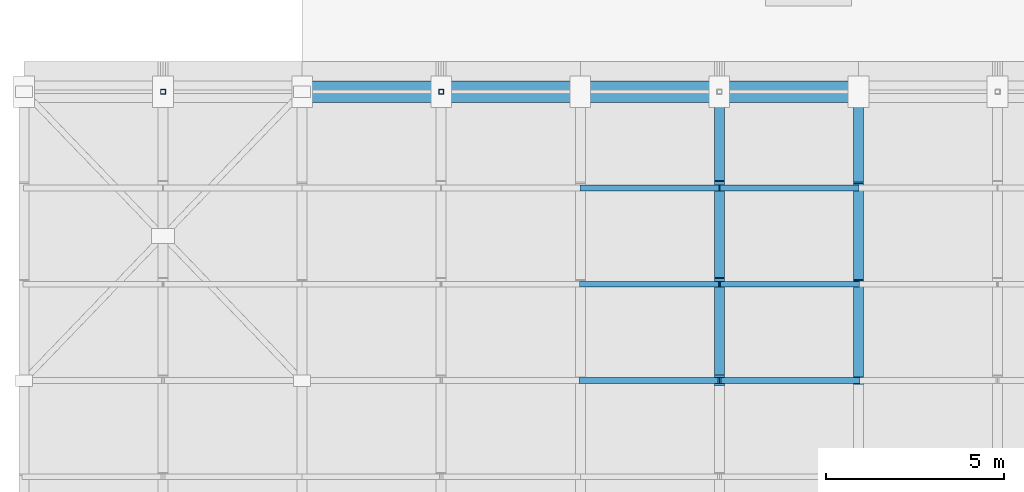
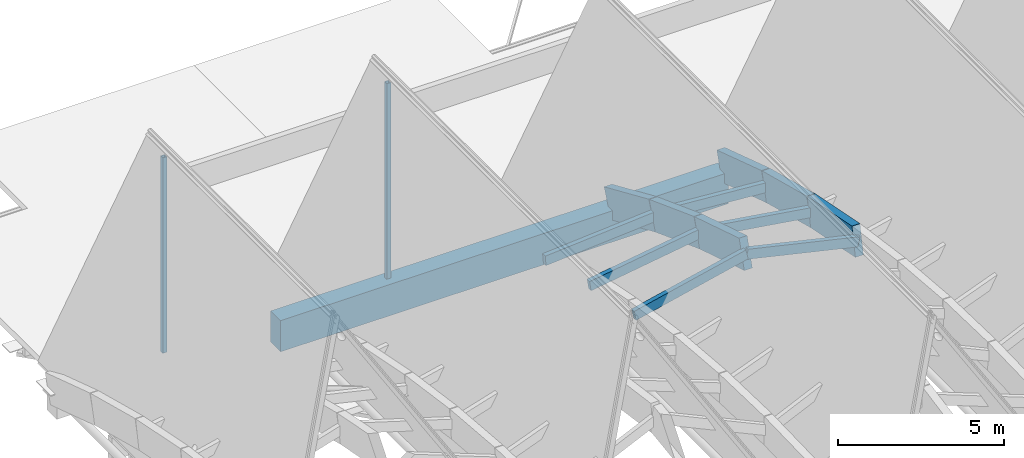
# One storey, part 18 of 39: 14 members, 1 beam.
"""IFC4 building model written with IfcOpenShell, lengths in metres."""

from ifc_helpers import new_model, si_unit, direction, frame, origin, origin_2d, place, context, subcontext, project, spatial, rectangle, hollow_rectangle, extrude, material, material_profile, profile_set, type_object, element, save


model = new_model("IFC4")

# Units and contexts
model_context = context("Model", 3, precision=1e-05, world=origin(), true_north=direction((0.0, 1.0)))
body_context = subcontext(model_context, "Body", "Model", "MODEL_VIEW")
ifc_project = project(units=[si_unit("LENGTHUNIT", "METRE"), si_unit("AREAUNIT", "SQUARE_METRE"), si_unit("VOLUMEUNIT", "CUBIC_METRE"), si_unit("PLANEANGLEUNIT", "RADIAN"), si_unit("MASSUNIT", "GRAM", prefix="KILO")], contexts=[model_context])

# Site, building, storey
site_placement = place(None, origin())
site = spatial("IfcSite", under=ifc_project, at=site_placement, CompositionType="ELEMENT")
building_placement = place(site_placement, origin())
building = spatial("IfcBuilding", under=site, at=building_placement, Name="Tizgana Railside Sports Hall", CompositionType="ELEMENT")
storey_placement = place(building_placement, frame((0.0, 0.0, 23.699951171875)))
storey = spatial("IfcBuildingStorey", under=building, at=storey_placement, Name="RF", CompositionType="ELEMENT", Elevation=23.699951171875)

# Beam
ifc_material_1 = material(Name="Concrete C40/50", Category="concrete")
ifc_material_profile_1 = material_profile(ifc_material_1, rectangle(XDim=0.60009765625, YDim=1.14990234375, at=origin_2d()), Name="RCB 600x1150")
ifc_profile_set_1 = profile_set([ifc_material_profile_1], Name="Concrete C40/50")
beam_type = type_object("IfcBeamType", Name="Concrete Beam RCB 600x1150", PredefinedType="BEAM", material=ifc_profile_set_1)
beam_placement = place(storey_placement, frame((7.800048828125, 73.199951171875, -8.9189453125), z_axis=(1.0, 0.0, 0.0), x_axis=(0.0, 1.0, 0.0)))
element("IfcBeam", 1, at=beam_placement, inside=storey, type_object=beam_type, Name="RF BEM-1218", PredefinedType="BEAM", context=body_context, shape_type="SweptSolid", body=[
    extrude(rectangle(XDim=0.60009765625, YDim=1.14990234375, at=origin_2d()), origin(), (0.0, 0.0, 1.0), 15.599853515625),
])

# Members
ifc_material_2 = material(Name="Glulam GL32h", Category="wood")
ifc_material_profile_2 = material_profile(ifc_material_2, rectangle(XDim=0.280029296875, YDim=1.050048828125, at=origin_2d()), Name="GL 280x1050")
ifc_profile_set_2 = profile_set([ifc_material_profile_2], Name="Glulam GL32h")
member_type_1 = type_object("IfcMemberType", Name="Glulam Arch Segment GL 280x1050", PredefinedType="USERDEFINED", material=ifc_profile_set_2)
member_1_placement = place(storey_placement, frame((19.5, 65.10009765625, -5.221923828125), z_axis=(0.0, 0.954601237081, -0.297886686786), x_axis=(-1.0, 0.0, 0.0)))
element("IfcMember", 2, at=member_1_placement, inside=storey, type_object=member_type_1, Name="RF V1 Arch Chord MEM-0098", ObjectType="ARCH_SEGMENT", PredefinedType="USERDEFINED", context=body_context, shape_type="SweptSolid", body=[
    extrude(rectangle(XDim=0.280029296875, YDim=1.050048828125, at=origin_2d()), origin(), (0.0, 0.0, 1.0), 2.828369140625),
])
member_2_placement = place(storey_placement, frame((19.5, 67.800048828125, -6.064453125), z_axis=(0.0, 0.936999478025, -0.349330757564), x_axis=(-1.0, 0.0, 0.0)))
element("IfcMember", 3, at=member_2_placement, inside=storey, type_object=member_type_1, Name="RF V1 Arch Chord MEM-0099", ObjectType="ARCH_SEGMENT", PredefinedType="USERDEFINED", context=body_context, shape_type="SweptSolid", body=[
    extrude(rectangle(XDim=0.280029296875, YDim=1.050048828125, at=origin_2d()), origin(), (0.0, 0.0, 1.0), 2.881591796875),
])
member_3_placement = place(storey_placement, frame((19.5, 70.5, -7.071044921875), z_axis=(0.0, 0.91644048833, -0.400171002635), x_axis=(-1.0, 0.0, 0.0)))
element("IfcMember", 4, at=member_3_placement, inside=storey, type_object=member_type_1, Name="RF V1 Arch Chord MEM-0100", ObjectType="ARCH_SEGMENT", PredefinedType="USERDEFINED", context=body_context, shape_type="SweptSolid", body=[
    extrude(rectangle(XDim=0.280029296875, YDim=1.050048828125, at=origin_2d()), origin(), (0.0, 0.0, 1.0), 2.946044921875),
])
member_4_placement = place(storey_placement, frame((23.39990234375, 65.10009765625, -6.1220703125), z_axis=(0.0, 0.980423512867, -0.196900318481), x_axis=(-1.0, 0.0, 0.0)))
element("IfcMember", 5, at=member_4_placement, inside=storey, type_object=member_type_1, Name="RF V1 Arch Chord MEM-0111", ObjectType="ARCH_SEGMENT", PredefinedType="USERDEFINED", context=body_context, shape_type="SweptSolid", body=[
    extrude(rectangle(XDim=0.280029296875, YDim=1.050048828125, at=origin_2d()), origin(), (0.0, 0.0, 1.0), 2.75390625),
])
member_5_placement = place(storey_placement, frame((23.39990234375, 67.800048828125, -6.664306640625), z_axis=(0.0, 0.96740233444, -0.253244394448), x_axis=(-1.0, 0.0, 0.0)))
element("IfcMember", 6, at=member_5_placement, inside=storey, type_object=member_type_1, Name="RF V1 Arch Chord MEM-0112", ObjectType="ARCH_SEGMENT", PredefinedType="USERDEFINED", context=body_context, shape_type="SweptSolid", body=[
    extrude(rectangle(XDim=0.280029296875, YDim=1.050048828125, at=origin_2d()), origin(), (0.0, 0.0, 1.0), 2.791015625),
])
member_6_placement = place(storey_placement, frame((23.39990234375, 70.5, -7.37109375), z_axis=(0.0, 0.95088673489, -0.309539040203), x_axis=(-1.0, 0.0, 0.0)))
element("IfcMember", 7, at=member_6_placement, inside=storey, type_object=member_type_1, Name="RF V1 Arch Chord MEM-0113", ObjectType="ARCH_SEGMENT", PredefinedType="USERDEFINED", context=body_context, shape_type="SweptSolid", body=[
    extrude(rectangle(XDim=0.280029296875, YDim=1.050048828125, at=origin_2d()), origin(), (0.0, 0.0, 1.0), 2.83935546875),
])
ifc_material_3 = material(Name="Glulam GL28h", Category="wood")
ifc_material_profile_3 = material_profile(ifc_material_3, rectangle(XDim=0.159912109375, YDim=0.360107421875, at=origin_2d()), Name="GL 160x360")
ifc_profile_set_3 = profile_set([ifc_material_profile_3], Name="Glulam GL28h")
member_type_2 = type_object("IfcMemberType", Name="Glulam Roof Purlin GL 160x360", PredefinedType="PURLIN", material=ifc_profile_set_3)
for number, where, z_axis, x_axis, name in (
    (8, (15.60009765625, 65.10009765625, -6.1220703125), (0.974381942365, 0.0, 0.224899600695), (0.0, 1.0, 0.0), "RF V1 Purlin MEM-0293"),
    (9, (19.5, 65.10009765625, -5.221923828125), (0.974381942365, 0.0, -0.224899600695), (0.0, 1.0, 0.0), "RF V1 Purlin MEM-0294"),
):
    element("IfcMember", number, at=place(storey_placement, frame(where, z_axis=z_axis, x_axis=x_axis)), inside=storey, type_object=member_type_2, Name=name, PredefinedType="PURLIN", context=body_context, shape_type="SweptSolid", body=[
        extrude(rectangle(XDim=0.159912109375, YDim=0.360107421875, at=origin_2d()), origin(), (0.0, 0.0, 1.0), 4.00244140625),
    ])
for number, where, z_axis, x_axis, name in (
    (10, (15.60009765625, 67.800048828125, -6.664306640625), (0.988376704266, 0.0, 0.152024637685), (0.0, 1.0, 0.0), "RF V1 Purlin MEM-0295"),
    (11, (19.5, 67.800048828125, -6.064453125), (0.988376704266, 0.0, -0.152024637685), (0.0, 1.0, 0.0), "RF V1 Purlin MEM-0296"),
):
    element("IfcMember", number, at=place(storey_placement, frame(where, z_axis=z_axis, x_axis=x_axis)), inside=storey, type_object=member_type_2, Name=name, PredefinedType="PURLIN", context=body_context, shape_type="SweptSolid", body=[
        extrude(rectangle(XDim=0.159912109375, YDim=0.360107421875, at=origin_2d()), origin(), (0.0, 0.0, 1.0), 3.94580078125),
    ])
for number, where, z_axis, x_axis, name in (
    (12, (15.60009765625, 70.5, -7.37109375), (0.997053383918, 0.0, 0.076710818132), (0.0, 1.0, 0.0), "RF V1 Purlin MEM-0297"),
    (13, (19.5, 70.5, -7.071044921875), (0.997053383918, 0.0, -0.076710818132), (0.0, 1.0, 0.0), "RF V1 Purlin MEM-0298"),
):
    element("IfcMember", number, at=place(storey_placement, frame(where, z_axis=z_axis, x_axis=x_axis)), inside=storey, type_object=member_type_2, Name=name, PredefinedType="PURLIN", context=body_context, shape_type="SweptSolid", body=[
        extrude(rectangle(XDim=0.159912109375, YDim=0.360107421875, at=origin_2d()), origin(), (0.0, 0.0, 1.0), 3.911376953125),
    ])
ifc_material_4 = material(Name="Steel S355J2", Category="steel")
ifc_material_profile_4 = material_profile(ifc_material_4, hollow_rectangle(XDim=0.139892578125, YDim=0.139892578125, WallThickness=0.008056640625, at=origin_2d()), Name="SHS 140x140x8")
ifc_profile_set_4 = profile_set([ifc_material_profile_4], Name="Steel S355J2")
member_type_3 = type_object("IfcMemberType", Name="Steel Brace SHS 140x140x8", PredefinedType="BRACE", material=ifc_profile_set_4)
for number, where, z_axis, x_axis, name in (
    (14, (3.89990234375, 73.199951171875, -8.300048828125), (0.0, 0.0, 1.0), (1.0, 0.0, 0.0), "RF King Post"),
    (15, (11.699951171875, 73.199951171875, -8.300048828125), (0.0, 0.0, 1.0), (1.0, 0.0, 0.0), "RF King Post"),
):
    element("IfcMember", number, at=place(storey_placement, frame(where, z_axis=z_axis, x_axis=x_axis)), inside=storey, type_object=member_type_3, Name=name, PredefinedType="BRACE", context=body_context, shape_type="SweptSolid", body=[
        extrude(hollow_rectangle(XDim=0.139892578125, YDim=0.139892578125, WallThickness=0.008056640625, at=origin_2d()), origin(), (0.0, 0.0, 1.0), 7.2001953125),
    ])

save(model, "model.ifc")
